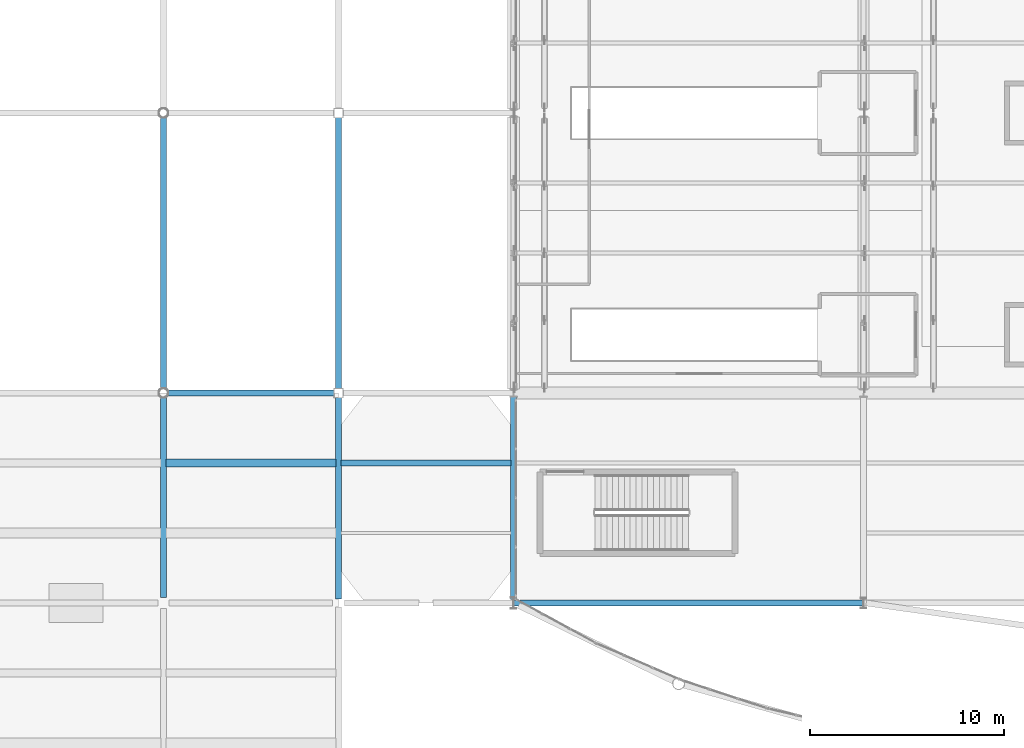
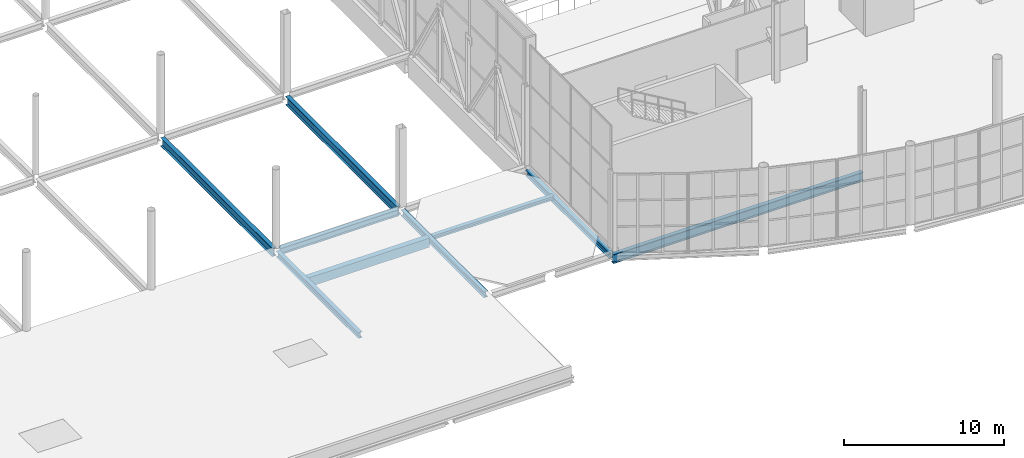
# One storey, part 27 of 191: 9 beams.
"""IFC4 building model written with IfcOpenShell, lengths in metres."""

import ifcopenshell
import ifcopenshell.guid

model = None  # the IFC model being written
_history = None  # IfcOwnerHistory: only IFC2X3 demands one
_inside = {}  # id of a spatial element -> (the spatial element, [elements in it])
_under = {}  # id of a project, library or spatial element -> (it, [spatial elements below it])
_declared = {}  # id of a project -> (the project, [libraries it declares])
_typed = {}  # id of a type object -> (the type object, [elements of that type])
_made_of = {}  # id of a material, layer set ... -> (it, [elements and type objects made of it])


def new_model(schema):
    """Start an empty IFC model of exactly this schema.

    Asked for "IFC4X3", IfcOpenShell would pick the latest addendum, in which some entities
    have other attributes; the version numbers below select the first issue.
    IFC2X3 requires an IfcOwnerHistory on every rooted entity: one is made here for all.
    """
    global model, _history
    if schema == "IFC4X3":
        model = ifcopenshell.file(schema_version=(4, 3, 0, 0))
    else:
        model = ifcopenshell.file(schema=schema)
    _inside.clear()
    _under.clear()
    _declared.clear()
    _typed.clear()
    _made_of.clear()
    _history = None
    if model.schema == "IFC2X3":
        org = make("IfcOrganization", Name="unknown")
        user = make(
            "IfcPersonAndOrganization",
            ThePerson=make("IfcPerson", FamilyName="unknown"),
            TheOrganization=org,
        )
        app = make(
            "IfcApplication",
            ApplicationDeveloper=org,
            Version="unknown",
            ApplicationFullName="unknown",
            ApplicationIdentifier="unknown",
        )
        _history = make(
            "IfcOwnerHistory",
            OwningUser=user,
            OwningApplication=app,
            ChangeAction="ADDED",
            CreationDate=0,
        )
    return model


def make(cls, **values):
    """One entity of the class cls with the attributes given. An attribute that is None is left unset."""
    return model.create_entity(
        cls, **{name: value for name, value in values.items() if value is not None}
    )


def rooted(cls, **values):
    """An entity with a GlobalId (a new one), such as an element, a storey or a relation."""
    return make(cls, GlobalId=ifcopenshell.guid.new(), OwnerHistory=_history, **values)


def si_unit(unit_type, name, prefix=None):
    """IfcSIUnit, for example si_unit("LENGTHUNIT", "METRE", prefix="MILLI")."""
    return make("IfcSIUnit", UnitType=unit_type, Prefix=prefix, Name=name)


def assignment(units):
    """IfcUnitAssignment: the units of a project."""
    return None if units is None else make("IfcUnitAssignment", Units=units)


def point(xyz):
    """IfcCartesianPoint."""
    return None if xyz is None else make("IfcCartesianPoint", Coordinates=xyz)


def direction(xyz):
    """IfcDirection."""
    return None if xyz is None else make("IfcDirection", DirectionRatios=xyz)


def frame(location, z_axis=None, x_axis=None):
    """IfcAxis2Placement3D, a coordinate frame: its origin and axes. An axis left out is left unset."""
    return make(
        "IfcAxis2Placement3D",
        Location=point(location),
        Axis=direction(z_axis),
        RefDirection=direction(x_axis),
    )


def frame_2d(location, x_axis=None):
    """IfcAxis2Placement2D, a coordinate frame in the plane: its origin and x axis."""
    return make(
        "IfcAxis2Placement2D", Location=point(location), RefDirection=direction(x_axis)
    )


def origin():
    """The frame at (0, 0, 0) with its axes left unset."""
    return frame((0.0, 0.0, 0.0))


def origin_2d():
    """The frame at (0, 0) in the plane with its x axis left unset."""
    return frame_2d((0.0, 0.0))


def place(relative_to, where):
    """IfcLocalPlacement: puts the frame where relative to a parent placement (None: the world)."""
    return make(
        "IfcLocalPlacement", PlacementRelTo=relative_to, RelativePlacement=where
    )


def context(
    kind, dimensions, precision=None, world=None, true_north=None, identifier=None
):
    """IfcGeometricRepresentationContext, for example the 3D "Model" context."""
    return make(
        "IfcGeometricRepresentationContext",
        ContextIdentifier=identifier,
        ContextType=kind,
        CoordinateSpaceDimension=dimensions,
        Precision=precision,
        WorldCoordinateSystem=world,
        TrueNorth=true_north,
    )


def subcontext(parent, identifier, kind, view, scale=None):
    """IfcGeometricRepresentationSubContext, for example "Body" below "Model"."""
    return make(
        "IfcGeometricRepresentationSubContext",
        ContextIdentifier=identifier,
        ContextType=kind,
        ParentContext=parent,
        TargetScale=scale,
        TargetView=view,
    )


def project(units=None, contexts=None):
    """IfcProject with its units and contexts."""
    return rooted(
        "IfcProject",
        Name="project",
        RepresentationContexts=contexts,
        UnitsInContext=assignment(units),
    )


def spatial(cls, under=None, at=None, **own):
    """A site, building, storey or space (cls), placed at a placement, below another one or the project."""
    s = rooted(cls, ObjectPlacement=at, **own)
    if under is not None:
        _under.setdefault(under.id(), (under, []))[1].append(s)
    return s


def profile(cls, at=None, kind="AREA", **sizes):
    """A parametric profile (cls). Its sizes go by their IFC names, for example OverallWidth=200.0."""
    return make(cls, ProfileType=kind, Position=at, **sizes)


def rectangle(**sizes):
    """IfcRectangleProfileDef."""
    return profile("IfcRectangleProfileDef", **sizes)


def i_section(**sizes):
    """IfcIShapeProfileDef."""
    return profile("IfcIShapeProfileDef", **sizes)


def extrude(swept, where, along, depth):
    """IfcExtrudedAreaSolid: the profile swept, set in the frame where, extruded along a direction by depth."""
    return make(
        "IfcExtrudedAreaSolid",
        SweptArea=swept,
        Position=where,
        ExtrudedDirection=direction(along),
        Depth=depth,
    )


def shape(context_of_items, identifier, shape_type, items):
    """IfcShapeRepresentation: the items that make up one representation, for example the "Body"."""
    return make(
        "IfcShapeRepresentation",
        ContextOfItems=context_of_items,
        RepresentationIdentifier=identifier,
        RepresentationType=shape_type,
        Items=items,
    )


def material(Name=None, Category=None):
    """IfcMaterial."""
    return make("IfcMaterial", Name=Name, Category=Category)


def material_profile(
    of_material, cross_section, Name=None, Category=None, Priority=None
):
    """IfcMaterialProfile: a cross section and its material."""
    return make(
        "IfcMaterialProfile",
        Name=Name,
        Material=of_material,
        Profile=cross_section,
        Priority=Priority,
        Category=Category,
    )


def profile_set(profiles, Name=None, composite=None):
    """IfcMaterialProfileSet."""
    return make(
        "IfcMaterialProfileSet",
        Name=Name,
        MaterialProfiles=profiles,
        CompositeProfile=composite,
    )


def made_of(thing, what):
    """Note that an element or type object is made of a material, layer set ...; save() writes the relation."""
    if what is not None:
        _made_of.setdefault(what.id(), (what, []))[1].append(thing)
    return thing


def type_object(cls, material=None, **own):
    """A type object (cls), such as IfcWallType, which elements share."""
    return made_of(rooted(cls, **own), material)


def element(
    cls,
    number,
    at=None,
    inside=None,
    cuts=None,
    type_object=None,
    material=None,
    context=None,
    identifier="Body",
    shape_type=None,
    held_by="IfcProductDefinitionShape",
    body=None,
    shapes=None,
    **own,
):
    """One element of the class cls, such as IfcWall. Its Tag is "e" and its number.

    at: its placement. inside: the storey or other place that contains it. cuts: it is an
    opening in that element (IfcRelVoidsElement). A single representation is given by context,
    identifier, shape_type and body (its items); several are given by shapes. held_by: the class
    of the entity that holds the representations. save() writes the other relations.
    """
    e = rooted(cls, Tag="e%d" % number, ObjectPlacement=at, **own)
    if body is not None:
        shapes = [shape(context, identifier, shape_type, body)]
    if shapes is not None:
        e.Representation = make(held_by, Representations=shapes)
    if inside is not None:
        _inside.setdefault(inside.id(), (inside, []))[1].append(e)
    if cuts is not None:
        rooted(
            "IfcRelVoidsElement", RelatingBuildingElement=cuts, RelatedOpeningElement=e
        )
    if type_object is not None:
        _typed.setdefault(type_object.id(), (type_object, []))[1].append(e)
    return made_of(e, material)


def aggregate(whole, parts):
    """IfcRelAggregates: a whole, such as a stair, and the parts it consists of."""
    return rooted("IfcRelAggregates", RelatingObject=whole, RelatedObjects=parts)


def save(model, path):
    """Write the relations noted so far, then the file.

    IfcRelAggregates (storeys below a building ...), IfcRelContainedInSpatialStructure (elements
    in a storey), IfcRelDefinesByType, IfcRelAssociatesMaterial and IfcRelDeclares: one each for
    every whole, place, type object, material and project.
    """
    for whole, parts in _under.values():
        aggregate(whole, parts)
    for where, things in _inside.values():
        rooted(
            "IfcRelContainedInSpatialStructure",
            RelatedElements=things,
            RelatingStructure=where,
        )
    for kind, things in _typed.values():
        rooted("IfcRelDefinesByType", RelatedObjects=things, RelatingType=kind)
    for what, things in _made_of.values():
        rooted("IfcRelAssociatesMaterial", RelatedObjects=things, RelatingMaterial=what)
    for by, libraries in _declared.values():
        rooted("IfcRelDeclares", RelatingContext=by, RelatedDefinitions=libraries)
    model.write(path)


model = new_model("IFC4")

# Units and contexts
model_context = context("Model", 3, precision=1e-05, world=origin(), true_north=direction((0.0, 1.0)))
body_context = subcontext(model_context, "Body", "Model", "MODEL_VIEW")
ifc_project = project(units=[si_unit("LENGTHUNIT", "METRE"), si_unit("AREAUNIT", "SQUARE_METRE"), si_unit("VOLUMEUNIT", "CUBIC_METRE"), si_unit("PLANEANGLEUNIT", "RADIAN"), si_unit("MASSUNIT", "GRAM", prefix="KILO")], contexts=[model_context])

# Site, building, storey
site_placement = place(None, origin())
site = spatial("IfcSite", under=ifc_project, at=site_placement, CompositionType="ELEMENT")
building_placement = place(site_placement, origin())
building = spatial("IfcBuilding", under=site, at=building_placement, Name="Tamarisk Ironworks Central Station", CompositionType="ELEMENT")
storey_placement = place(building_placement, frame((0.0, 0.0, 6.60009765625)))
storey = spatial("IfcBuildingStorey", under=building, at=storey_placement, Name="L01", CompositionType="ELEMENT", Elevation=6.60009765625)

# Beams
ifc_material_1 = material(Name="Structural steel S355J2", Category="steel")
ifc_material_profile_1 = material_profile(ifc_material_1, i_section(OverallWidth=0.300048828125, OverallDepth=0.68994140625, WebThickness=0.014404296875, FlangeThickness=0.027099609375, at=origin_2d()), Name="HEA 700")
ifc_profile_set_1 = profile_set([ifc_material_profile_1], Name="Structural steel S355J2")
beam_type_1 = type_object("IfcBeamType", Name="BM-G01", PredefinedType="BEAM", material=ifc_profile_set_1)
beam_1_placement = place(storey_placement, frame((54.00390625, 10.800048828125, -0.64501953125), z_axis=(1.0, 0.0, 0.0), x_axis=(0.0, 1.0, 0.0)))
element("IfcBeam", 1, at=beam_1_placement, inside=storey, type_object=beam_type_1, Name="L01 primary girder X-0017", PredefinedType="BEAM", context=body_context, shape_type="SweptSolid", body=[
    extrude(i_section(OverallWidth=0.300048828125, OverallDepth=0.68994140625, WebThickness=0.014404296875, FlangeThickness=0.027099609375, at=origin_2d()), origin(), (0.0, 0.0, 1.0), 17.9921875),
])
ifc_material_profile_2 = material_profile(ifc_material_1, i_section(OverallWidth=0.300048828125, OverallDepth=0.639892578125, WebThickness=0.013427734375, FlangeThickness=0.02587890625, at=origin_2d()), Name="HEA 650")
ifc_profile_set_2 = profile_set([ifc_material_profile_2], Name="Structural steel S355J2")
beam_type_2 = type_object("IfcBeamType", Name="BM-G02", PredefinedType="BEAM", material=ifc_profile_set_2)
beam_2_placement = place(storey_placement, frame((36.0, 21.842041015625, -0.570068359375), z_axis=(0.0, 1.0, 0.0), x_axis=(-1.0, 0.0, 0.0)))
element("IfcBeam", 2, at=beam_2_placement, inside=storey, type_object=beam_type_2, Name="L01 primary girder Y-0189", PredefinedType="BEAM", context=body_context, shape_type="SweptSolid", body=[
    extrude(i_section(OverallWidth=0.300048828125, OverallDepth=0.639892578125, WebThickness=0.013427734375, FlangeThickness=0.02587890625, at=origin_2d()), origin(), (0.0, 0.0, 1.0), 13.916015625),
])
beam_3_placement = place(storey_placement, frame((45.0, 21.837890625, -0.570068359375), z_axis=(0.0, 1.0, 0.0), x_axis=(-1.0, 0.0, 0.0)))
element("IfcBeam", 3, at=beam_3_placement, inside=storey, type_object=beam_type_2, Name="L01 primary girder Y-0198", PredefinedType="BEAM", context=body_context, shape_type="SweptSolid", body=[
    extrude(i_section(OverallWidth=0.300048828125, OverallDepth=0.639892578125, WebThickness=0.013427734375, FlangeThickness=0.02587890625, at=origin_2d()), origin(), (0.0, 0.0, 1.0), 13.924072265625),
])
ifc_material_profile_3 = material_profile(ifc_material_1, i_section(OverallWidth=0.300048828125, OverallDepth=0.489990234375, WebThickness=0.011962890625, FlangeThickness=0.02294921875, at=origin_2d()), Name="HEA 500")
ifc_profile_set_3 = profile_set([ifc_material_profile_3], Name="Structural steel S355J2")
beam_type_3 = type_object("IfcBeamType", Name="BM-G05", PredefinedType="BEAM", material=ifc_profile_set_3)
beam_4_placement = place(storey_placement, frame((36.241943359375, 21.60009765625, -0.405029296875), z_axis=(1.0, 0.0, 0.0), x_axis=(0.0, 1.0, 0.0)))
element("IfcBeam", 4, at=beam_4_placement, inside=storey, type_object=beam_type_3, Name="L01 primary girder X-0031", PredefinedType="BEAM", context=body_context, shape_type="SweptSolid", body=[
    extrude(i_section(OverallWidth=0.300048828125, OverallDepth=0.489990234375, WebThickness=0.011962890625, FlangeThickness=0.02294921875, at=origin_2d()), origin(), (0.0, 0.0, 1.0), 8.52001953125),
])
ifc_material_profile_4 = material_profile(ifc_material_1, i_section(OverallWidth=0.300048828125, OverallDepth=0.43994140625, WebThickness=0.011474609375, FlangeThickness=0.02099609375, at=origin_2d()), Name="HEA 450")
ifc_profile_set_4 = profile_set([ifc_material_profile_4], Name="Structural steel S355J2")
beam_type_4 = type_object("IfcBeamType", Name="BM-G06", PredefinedType="BEAM", material=ifc_profile_set_4)
beam_5_placement = place(storey_placement, frame((36.0, 11.087890625, -0.380126953125), z_axis=(0.0, 1.0, 0.0), x_axis=(-1.0, 0.0, 0.0)))
element("IfcBeam", 5, at=beam_5_placement, inside=storey, type_object=beam_type_4, Name="L01 primary girder Y-0188", PredefinedType="BEAM", context=body_context, shape_type="SweptSolid", body=[
    extrude(i_section(OverallWidth=0.300048828125, OverallDepth=0.43994140625, WebThickness=0.011474609375, FlangeThickness=0.02099609375, at=origin_2d()), origin(), (0.0, 0.0, 1.0), 10.27001953125),
])
beam_6_placement = place(storey_placement, frame((45.0, 11.012939453125, -0.380126953125), z_axis=(0.0, 1.0, 0.0), x_axis=(-1.0, 0.0, 0.0)))
element("IfcBeam", 6, at=beam_6_placement, inside=storey, type_object=beam_type_4, Name="L01 primary girder Y-0197", PredefinedType="BEAM", context=body_context, shape_type="SweptSolid", body=[
    extrude(i_section(OverallWidth=0.300048828125, OverallDepth=0.43994140625, WebThickness=0.011474609375, FlangeThickness=0.02099609375, at=origin_2d()), origin(), (0.0, 0.0, 1.0), 10.34912109375),
])
beam_7_placement = place(storey_placement, frame((54.0, 10.991455078125, -0.52001953125), z_axis=(0.0, 1.0, 0.0), x_axis=(-1.0, 0.0, 0.0)))
element("IfcBeam", 7, at=beam_7_placement, inside=storey, type_object=beam_type_4, Name="L01 primary girder Y-0207", PredefinedType="BEAM", context=body_context, shape_type="SweptSolid", body=[
    extrude(i_section(OverallWidth=0.300048828125, OverallDepth=0.43994140625, WebThickness=0.011474609375, FlangeThickness=0.02099609375, at=origin_2d()), origin(), (0.0, 0.0, 1.0), 10.407958984375),
])
ifc_material_profile_5 = material_profile(ifc_material_1, i_section(OverallWidth=0.300048828125, OverallDepth=0.2900390625, WebThickness=0.008544921875, FlangeThickness=0.013916015625, at=origin_2d()), Name="HEA 300")
ifc_profile_set_5 = profile_set([ifc_material_profile_5], Name="Structural steel S355J2")
beam_type_5 = type_object("IfcBeamType", Name="BM-G10", PredefinedType="BEAM", material=ifc_profile_set_5)
beam_8_placement = place(storey_placement, frame((45.135009765625, 18.0, -0.28515625), z_axis=(1.0, 0.0, 0.0), x_axis=(0.0, 1.0, 0.0)))
element("IfcBeam", 8, at=beam_8_placement, inside=storey, type_object=beam_type_5, Name="Forecourt canopy framing beam 010", PredefinedType="BEAM", context=body_context, shape_type="SweptSolid", body=[
    extrude(i_section(OverallWidth=0.300048828125, OverallDepth=0.2900390625, WebThickness=0.008544921875, FlangeThickness=0.013916015625, at=origin_2d()), origin(), (0.0, 0.0, 1.0), 8.72998046875),
])
ifc_material_2 = material(Name="Concrete C40/50", Category="concrete")
ifc_material_profile_6 = material_profile(ifc_material_2, rectangle(XDim=0.39990234375, YDim=0.699951171875, at=origin_2d()), Name="RC 400x700")
ifc_profile_set_6 = profile_set([ifc_material_profile_6], Name="Concrete C40/50")
beam_type_6 = type_object("IfcBeamType", Name="BM-RCT02", PredefinedType="T_BEAM", material=ifc_profile_set_6)
beam_9_placement = place(storey_placement, frame((36.135009765625, 18.0, -0.510009765625), z_axis=(1.0, 0.0, 0.0), x_axis=(0.0, 1.0, 0.0)))
element("IfcBeam", 9, at=beam_9_placement, inside=storey, type_object=beam_type_6, Name="Substation heavy RC T-beam 20", PredefinedType="T_BEAM", context=body_context, shape_type="SweptSolid", body=[
    extrude(rectangle(XDim=0.39990234375, YDim=0.699951171875, at=origin_2d()), origin(), (0.0, 0.0, 1.0), 8.72998046875),
])

save(model, "model.ifc")
